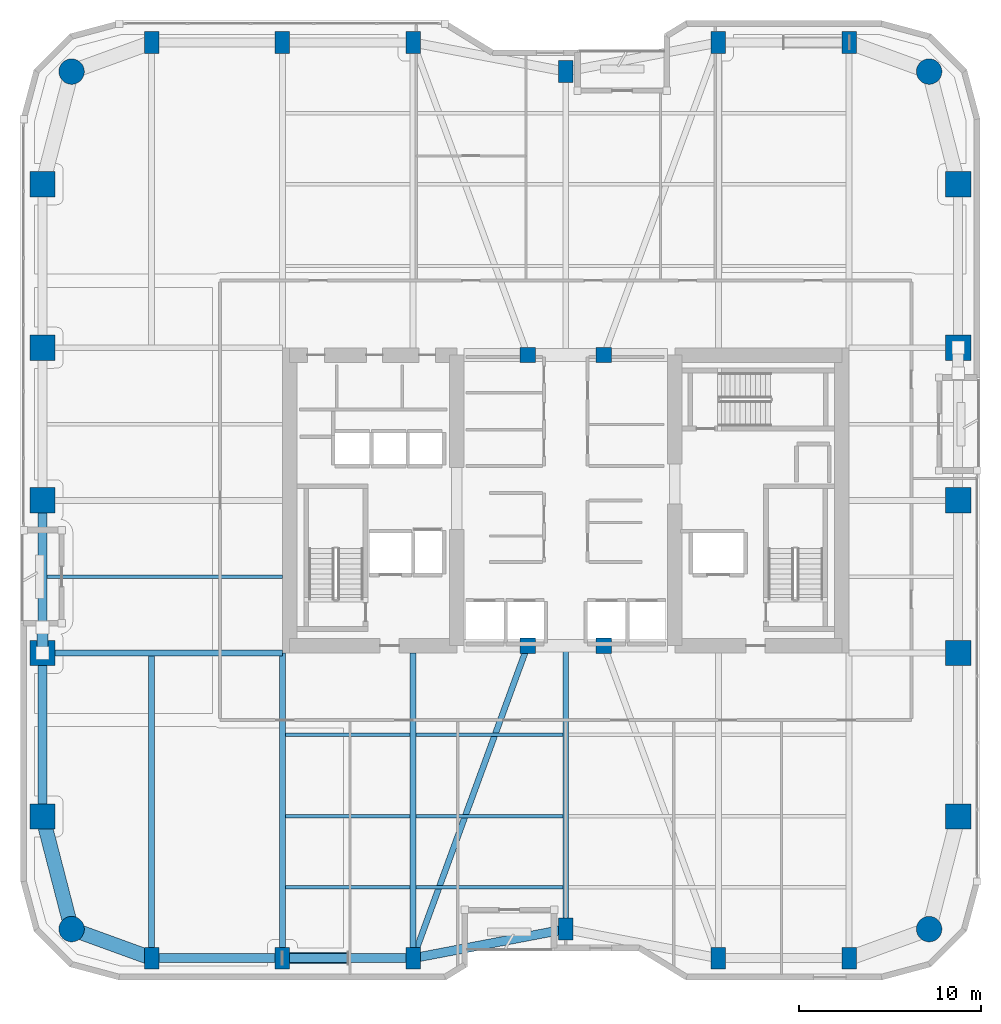
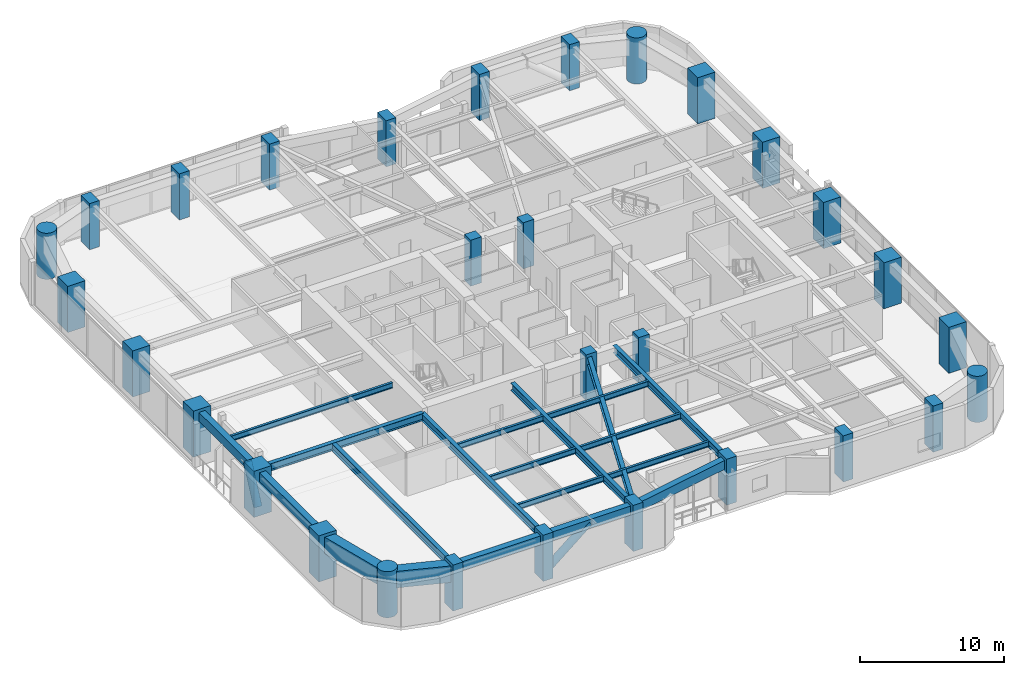
# One storey, part 1 of 24: 30 columns, 20 beams, 2 members.
"""IFC4 building model written with IfcOpenShell, lengths in metres."""

from ifc_helpers import new_model, si_unit, direction, frame, origin, origin_2d, place, context, subcontext, project, spatial, rectangle, circle, hollow_circle, i_section, extrude, material, material_profile, profile_set, type_object, element, save


model = new_model("IFC4")

# Units and contexts
model_context = context("Model", 3, precision=1e-05, world=origin(), true_north=direction((0.0, 1.0)))
body_context = subcontext(model_context, "Body", "Model", "MODEL_VIEW")
ifc_project = project(units=[si_unit("LENGTHUNIT", "METRE"), si_unit("AREAUNIT", "SQUARE_METRE"), si_unit("VOLUMEUNIT", "CUBIC_METRE"), si_unit("PLANEANGLEUNIT", "RADIAN"), si_unit("MASSUNIT", "GRAM", prefix="KILO")], contexts=[model_context])

# Site, building, storey
site_placement = place(None, origin())
site = spatial("IfcSite", under=ifc_project, at=site_placement, CompositionType="ELEMENT")
building_placement = place(site_placement, origin())
building = spatial("IfcBuilding", under=site, at=building_placement, Name="Kiyonajd Concourse Tower", CompositionType="ELEMENT")
storey_placement = place(building_placement, frame((0.0, 0.0, 105.300048828125)))
storey = spatial("IfcBuildingStorey", under=building, at=storey_placement, Name="L27", CompositionType="ELEMENT", Elevation=105.300048828125)

# Columns
ifc_material_1 = material(Name="Concrete C70/85", Category="concrete")
ifc_material_profile_1 = material_profile(ifc_material_1, rectangle(XDim=0.800048828125, YDim=1.199951171875, at=origin_2d()), Name="RC-1200x800")
ifc_profile_set_1 = profile_set([ifc_material_profile_1], Name="Concrete C70/85")
column_type_1 = type_object("IfcColumnType", Name="CL-BLADE-1200", PredefinedType="COLUMN", material=ifc_profile_set_1)
for number, where, z_axis, x_axis, name in (
    (1, (25.199951171875, 10.800048828125, 0.0), (0.0, 0.0, 1.0), (1.0, 0.0, 0.0), "L27 Perimeter Bundled Tube Column"),
    (2, (25.199951171875, 61.199951171875, 0.0), (0.0, 0.0, 1.0), (1.0, 0.0, 0.0), "L27 Perimeter Bundled Tube Column"),
    (3, (32.39990234375, 10.800048828125, 0.0), (0.0, 0.0, 1.0), (1.0, 0.0, 0.0), "L27 Perimeter Bundled Tube Column"),
    (4, (32.39990234375, 61.199951171875, 0.0), (0.0, 0.0, 1.0), (1.0, 0.0, 0.0), "L27 Perimeter Bundled Tube Column"),
    (5, (39.60009765625, 10.800048828125, 0.0), (0.0, 0.0, 1.0), (1.0, 0.0, 0.0), "L27 Perimeter Bundled Tube Column"),
    (6, (39.60009765625, 61.199951171875, 0.0), (0.0, 0.0, 1.0), (1.0, 0.0, 0.0), "L27 Perimeter Bundled Tube Column"),
    (7, (48.0, 12.39990234375, 0.0), (0.0, 0.0, 1.0), (1.0, 0.0, 0.0), "L27 Perimeter Bundled Tube Column"),
    (8, (48.0, 59.60009765625, 0.0), (0.0, 0.0, 1.0), (1.0, 0.0, 0.0), "L27 Perimeter Bundled Tube Column"),
    (9, (56.39990234375, 10.800048828125, 0.0), (0.0, 0.0, 1.0), (1.0, 0.0, 0.0), "L27 Perimeter Bundled Tube Column"),
    (10, (56.39990234375, 61.199951171875, 0.0), (0.0, 0.0, 1.0), (1.0, 0.0, 0.0), "L27 Perimeter Bundled Tube Column"),
    (11, (63.60009765625, 10.800048828125, 0.0), (0.0, 0.0, 1.0), (1.0, 0.0, 0.0), "L27 Perimeter Bundled Tube Column"),
    (12, (63.60009765625, 61.199951171875, 0.0), (0.0, 0.0, 1.0), (1.0, 0.0, 0.0), "L27 Perimeter Bundled Tube Column"),
):
    element("IfcColumn", number, at=place(storey_placement, frame(where, z_axis=z_axis, x_axis=x_axis)), inside=storey, type_object=column_type_1, Name=name, PredefinedType="COLUMN", context=body_context, shape_type="SweptSolid", body=[
        extrude(rectangle(XDim=0.800048828125, YDim=1.199951171875, at=origin_2d()), origin(), (0.0, 0.0, 1.0), 3.89990234375),
    ])
ifc_material_2 = material(Name="Concrete C80/95", Category="concrete")
ifc_material_profile_2 = material_profile(ifc_material_2, circle(Radius=0.699951171875, at=origin_2d()), Name="RCC-D1400")
ifc_profile_set_2 = profile_set([ifc_material_profile_2], Name="Concrete C80/95")
column_type_2 = type_object("IfcColumnType", Name="CL-RND-1400", PredefinedType="COLUMN", material=ifc_profile_set_2)
for number, where, z_axis, x_axis, name in (
    (13, (20.800048828125, 12.39990234375, 0.0), (0.0, 0.0, 1.0), (1.0, 0.0, 0.0), "L27 Bundled Tube Corner Column South West"),
    (14, (68.0, 12.39990234375, 0.0), (0.0, 0.0, 1.0), (1.0, 0.0, 0.0), "L27 Bundled Tube Corner Column South East"),
    (15, (68.0, 59.60009765625, 0.0), (0.0, 0.0, 1.0), (1.0, 0.0, 0.0), "L27 Bundled Tube Corner Column North East"),
    (16, (20.800048828125, 59.60009765625, 0.0), (0.0, 0.0, 1.0), (1.0, 0.0, 0.0), "L27 Bundled Tube Corner Column North West"),
):
    element("IfcColumn", number, at=place(storey_placement, frame(where, z_axis=z_axis, x_axis=x_axis)), inside=storey, type_object=column_type_2, Name=name, PredefinedType="COLUMN", context=body_context, shape_type="SweptSolid", body=[
        extrude(circle(Radius=0.699951171875, at=origin_2d()), origin(), (0.0, 0.0, 1.0), 3.89990234375),
    ])
ifc_material_profile_3 = material_profile(ifc_material_1, rectangle(XDim=1.39990234375, YDim=1.39990234375, at=origin_2d()), Name="RC-1400x1400")
ifc_profile_set_3 = profile_set([ifc_material_profile_3], Name="Concrete C70/85")
column_type_3 = type_object("IfcColumnType", Name="CL-TUBE-1400", PredefinedType="COLUMN", material=ifc_profile_set_3)
for number, where, z_axis, x_axis, name in (
    (17, (19.199951171875, 18.60009765625, 0.0), (0.0, 0.0, 1.0), (1.0, 0.0, 0.0), "L27 Perimeter Bundled Tube Column"),
    (18, (69.60009765625, 18.60009765625, 0.0), (0.0, 0.0, 1.0), (1.0, 0.0, 0.0), "L27 Perimeter Bundled Tube Column"),
    (19, (19.199951171875, 27.60009765625, 0.0), (0.0, 0.0, 1.0), (1.0, 0.0, 0.0), "L27 Perimeter Bundled Tube Column"),
    (20, (69.60009765625, 27.60009765625, 0.0), (0.0, 0.0, 1.0), (1.0, 0.0, 0.0), "L27 Perimeter Bundled Tube Column"),
    (21, (19.199951171875, 36.0, 0.0), (0.0, 0.0, 1.0), (1.0, 0.0, 0.0), "L27 Perimeter Bundled Tube Column"),
    (22, (69.60009765625, 36.0, 0.0), (0.0, 0.0, 1.0), (1.0, 0.0, 0.0), "L27 Perimeter Bundled Tube Column"),
    (23, (19.199951171875, 44.39990234375, 0.0), (0.0, 0.0, 1.0), (1.0, 0.0, 0.0), "L27 Perimeter Bundled Tube Column"),
    (24, (69.60009765625, 44.39990234375, 0.0), (0.0, 0.0, 1.0), (1.0, 0.0, 0.0), "L27 Perimeter Bundled Tube Column"),
    (25, (19.199951171875, 53.39990234375, 0.0), (0.0, 0.0, 1.0), (1.0, 0.0, 0.0), "L27 Perimeter Bundled Tube Column"),
    (26, (69.60009765625, 53.39990234375, 0.0), (0.0, 0.0, 1.0), (1.0, 0.0, 0.0), "L27 Perimeter Bundled Tube Column"),
):
    element("IfcColumn", number, at=place(storey_placement, frame(where, z_axis=z_axis, x_axis=x_axis)), inside=storey, type_object=column_type_3, Name=name, PredefinedType="COLUMN", context=body_context, shape_type="SweptSolid", body=[
        extrude(rectangle(XDim=1.39990234375, YDim=1.39990234375, at=origin_2d()), origin(), (0.0, 0.0, 1.0), 3.89990234375),
    ])
ifc_material_3 = material(Name="Concrete C60/75", Category="concrete")
ifc_material_profile_4 = material_profile(ifc_material_3, rectangle(XDim=0.85009765625, YDim=0.85009765625, at=origin_2d()), Name="RC-850x850")
ifc_profile_set_4 = profile_set([ifc_material_profile_4], Name="Concrete C60/75")
column_type_4 = type_object("IfcColumnType", Name="CL-TUBE-850", PredefinedType="COLUMN", material=ifc_profile_set_4)
for number, where, z_axis, x_axis, name in (
    (27, (45.89990234375, 28.0, 0.0), (0.0, 0.0, 1.0), (1.0, 0.0, 0.0), "L27 Core Tie Column South West"),
    (28, (50.10009765625, 28.0, 0.0), (0.0, 0.0, 1.0), (1.0, 0.0, 0.0), "L27 Core Tie Column South East"),
    (29, (45.89990234375, 44.0, 0.0), (0.0, 0.0, 1.0), (1.0, 0.0, 0.0), "L27 Core Tie Column North West"),
    (30, (50.10009765625, 44.0, 0.0), (0.0, 0.0, 1.0), (1.0, 0.0, 0.0), "L27 Core Tie Column North East"),
):
    element("IfcColumn", number, at=place(storey_placement, frame(where, z_axis=z_axis, x_axis=x_axis)), inside=storey, type_object=column_type_4, Name=name, PredefinedType="COLUMN", context=body_context, shape_type="SweptSolid", body=[
        extrude(rectangle(XDim=0.85009765625, YDim=0.85009765625, at=origin_2d()), origin(), (0.0, 0.0, 1.0), 3.89990234375),
    ])

# Beams
ifc_material_4 = material(Name="Steel ASTM A992 Grade 50", Category="steel")
ifc_material_profile_5 = material_profile(ifc_material_4, i_section(OverallWidth=0.19189453125, OverallDepth=0.462890625, WebThickness=0.010498046875, FlangeThickness=0.017578125, at=origin_2d()), Name="W460X89")
ifc_profile_set_5 = profile_set([ifc_material_profile_5], Name="Steel ASTM A992 Grade 50")
beam_type_1 = type_object("IfcBeamType", Name="BM-JST-460B", PredefinedType="JOIST", material=ifc_profile_set_5)
beam_1_placement = place(storey_placement, frame((32.5634765625, 14.699951171875, 3.408447265625), z_axis=(1.0, 0.0, 0.0), x_axis=(0.0, 1.0, 0.0)))
element("IfcBeam", 31, at=beam_1_placement, inside=storey, type_object=beam_type_1, Name="L27 Secondary Floor Joist", PredefinedType="JOIST", context=body_context, shape_type="SweptSolid", body=[
    extrude(i_section(OverallWidth=0.19189453125, OverallDepth=0.462890625, WebThickness=0.010498046875, FlangeThickness=0.017578125, at=origin_2d()), origin(), (0.0, 0.0, 1.0), 6.873046875),
])
beam_2_placement = place(storey_placement, frame((39.763427734375, 14.699951171875, 3.408447265625), z_axis=(1.0, 0.0, 0.0), x_axis=(0.0, 1.0, 0.0)))
element("IfcBeam", 32, at=beam_2_placement, inside=storey, type_object=beam_type_1, Name="L27 Secondary Floor Joist", PredefinedType="JOIST", context=body_context, shape_type="SweptSolid", body=[
    extrude(i_section(OverallWidth=0.19189453125, OverallDepth=0.462890625, WebThickness=0.010498046875, FlangeThickness=0.017578125, at=origin_2d()), origin(), (0.0, 0.0, 1.0), 8.072998046875),
])
beam_3_placement = place(storey_placement, frame((32.5634765625, 18.60009765625, 3.408447265625), z_axis=(1.0, 0.0, 0.0), x_axis=(0.0, 1.0, 0.0)))
element("IfcBeam", 33, at=beam_3_placement, inside=storey, type_object=beam_type_1, Name="L27 Secondary Floor Joist", PredefinedType="JOIST", context=body_context, shape_type="SweptSolid", body=[
    extrude(i_section(OverallWidth=0.19189453125, OverallDepth=0.462890625, WebThickness=0.010498046875, FlangeThickness=0.017578125, at=origin_2d()), origin(), (0.0, 0.0, 1.0), 6.873046875),
])
beam_4_placement = place(storey_placement, frame((39.763427734375, 18.60009765625, 3.408447265625), z_axis=(1.0, 0.0, 0.0), x_axis=(0.0, 1.0, 0.0)))
element("IfcBeam", 34, at=beam_4_placement, inside=storey, type_object=beam_type_1, Name="L27 Secondary Floor Joist", PredefinedType="JOIST", context=body_context, shape_type="SweptSolid", body=[
    extrude(i_section(OverallWidth=0.19189453125, OverallDepth=0.462890625, WebThickness=0.010498046875, FlangeThickness=0.017578125, at=origin_2d()), origin(), (0.0, 0.0, 1.0), 8.072998046875),
])
beam_5_placement = place(storey_placement, frame((32.5634765625, 23.10009765625, 3.408447265625), z_axis=(1.0, 0.0, 0.0), x_axis=(0.0, 1.0, 0.0)))
element("IfcBeam", 35, at=beam_5_placement, inside=storey, type_object=beam_type_1, Name="L27 Secondary Floor Joist", PredefinedType="JOIST", context=body_context, shape_type="SweptSolid", body=[
    extrude(i_section(OverallWidth=0.19189453125, OverallDepth=0.462890625, WebThickness=0.010498046875, FlangeThickness=0.017578125, at=origin_2d()), origin(), (0.0, 0.0, 1.0), 6.873046875),
])
beam_6_placement = place(storey_placement, frame((39.763427734375, 23.10009765625, 3.408447265625), z_axis=(1.0, 0.0, 0.0), x_axis=(0.0, 1.0, 0.0)))
element("IfcBeam", 36, at=beam_6_placement, inside=storey, type_object=beam_type_1, Name="L27 Secondary Floor Joist", PredefinedType="JOIST", context=body_context, shape_type="SweptSolid", body=[
    extrude(i_section(OverallWidth=0.19189453125, OverallDepth=0.462890625, WebThickness=0.010498046875, FlangeThickness=0.017578125, at=origin_2d()), origin(), (0.0, 0.0, 1.0), 8.072998046875),
])
beam_7_placement = place(storey_placement, frame((19.449951171875, 31.800048828125, 3.408447265625), z_axis=(1.0, 0.0, 0.0), x_axis=(0.0, 1.0, 0.0)))
element("IfcBeam", 37, at=beam_7_placement, inside=storey, type_object=beam_type_1, Name="L27 West Secondary Floor Joist", PredefinedType="JOIST", context=body_context, shape_type="SweptSolid", body=[
    extrude(i_section(OverallWidth=0.19189453125, OverallDepth=0.462890625, WebThickness=0.010498046875, FlangeThickness=0.017578125, at=origin_2d()), origin(), (0.0, 0.0, 1.0), 12.949951171875),
])
ifc_material_5 = material(Name="Precast concrete C50/60", Category="concrete")
ifc_material_profile_6 = material_profile(ifc_material_5, rectangle(XDim=0.5, YDim=0.75, at=origin_2d()), Name="RCBM-500x750")
ifc_profile_set_6 = profile_set([ifc_material_profile_6], Name="Precast concrete C50/60")
beam_type_2 = type_object("IfcBeamType", Name="BM-SPAN-RC", PredefinedType="SPANDREL", material=ifc_profile_set_6)
beam_8_placement = place(storey_placement, frame((19.199951171875, 27.60009765625, 3.264892578125), z_axis=(0.0, -1.0, 0.0), x_axis=(1.0, 0.0, 0.0)))
element("IfcBeam", 38, at=beam_8_placement, inside=storey, type_object=beam_type_2, Name="L27 Perimeter Bundled Tube Spandrel", PredefinedType="SPANDREL", context=body_context, shape_type="SweptSolid", body=[
    extrude(rectangle(XDim=0.5, YDim=0.75, at=origin_2d()), origin(), (0.0, 0.0, 1.0), 9.0),
])
beam_9_placement = place(storey_placement, frame((25.199951171875, 10.800048828125, 3.264892578125), z_axis=(1.0, 0.0, 0.0), x_axis=(0.0, 1.0, 0.0)))
element("IfcBeam", 39, at=beam_9_placement, inside=storey, type_object=beam_type_2, Name="L27 Perimeter Bundled Tube Spandrel", PredefinedType="SPANDREL", context=body_context, shape_type="SweptSolid", body=[
    extrude(rectangle(XDim=0.5, YDim=0.75, at=origin_2d()), origin(), (0.0, 0.0, 1.0), 7.199951171875),
])
beam_10_placement = place(storey_placement, frame((32.39990234375, 10.800048828125, 3.264892578125), z_axis=(1.0, 0.0, 0.0), x_axis=(0.0, 1.0, 0.0)))
element("IfcBeam", 40, at=beam_10_placement, inside=storey, type_object=beam_type_2, Name="L27 Perimeter Bundled Tube Spandrel", PredefinedType="SPANDREL", context=body_context, shape_type="SweptSolid", body=[
    extrude(rectangle(XDim=0.5, YDim=0.75, at=origin_2d()), origin(), (0.0, 0.0, 1.0), 7.2001953125),
])
beam_11_placement = place(storey_placement, frame((39.60009765625, 10.800048828125, 3.264892578125), z_axis=(0.982341315253, 0.187097675953, 0.0), x_axis=(-0.187097675953, 0.982341315253, 0.0)))
element("IfcBeam", 41, at=beam_11_placement, inside=storey, type_object=beam_type_2, Name="L27 Perimeter Bundled Tube Spandrel", PredefinedType="SPANDREL", context=body_context, shape_type="SweptSolid", body=[
    extrude(rectangle(XDim=0.5, YDim=0.75, at=origin_2d()), origin(), (0.0, 0.0, 1.0), 8.55078125),
])
beam_12_placement = place(storey_placement, frame((19.199951171875, 36.0, 3.264892578125), z_axis=(0.0, -1.0, 0.0), x_axis=(1.0, 0.0, 0.0)))
element("IfcBeam", 42, at=beam_12_placement, inside=storey, type_object=beam_type_2, Name="L27 Perimeter Bundled Tube Spandrel", PredefinedType="SPANDREL", context=body_context, shape_type="SweptSolid", body=[
    extrude(rectangle(XDim=0.5, YDim=0.75, at=origin_2d()), origin(), (0.0, 0.0, 1.0), 8.39990234375),
])
ifc_material_profile_7 = material_profile(ifc_material_4, i_section(OverallWidth=0.326904296875, OverallDepth=0.6220703125, WebThickness=0.015380859375, FlangeThickness=0.0244140625, at=origin_2d()), Name="W610X195")
ifc_profile_set_7 = profile_set([ifc_material_profile_7], Name="Steel ASTM A992 Grade 50")
beam_type_3 = type_object("IfcBeamType", Name="BM-TWR-610A", PredefinedType="BEAM", material=ifc_profile_set_7)
beam_13_placement = place(storey_placement, frame((39.60009765625, 10.800048828125, 3.328857421875), z_axis=(0.343925269715, 0.938997022813, 0.0), x_axis=(-0.938997022813, 0.343925269715, 0.0)))
element("IfcBeam", 43, at=beam_13_placement, inside=storey, type_object=beam_type_3, Name="L27 Core Tie Girder", PredefinedType="BEAM", context=body_context, shape_type="SweptSolid", body=[
    extrude(i_section(OverallWidth=0.326904296875, OverallDepth=0.6220703125, WebThickness=0.015380859375, FlangeThickness=0.0244140625, at=origin_2d()), origin(), (0.0, 0.0, 1.0), 18.3173828125),
])
for number, where, z_axis, x_axis, name in (
    (44, (25.199951171875, 10.800048828125, 3.328857421875), (0.0, 1.0, 0.0), (-1.0, 0.0, 0.0), "L27 South Lease Girder"),
    (45, (32.39990234375, 10.800048828125, 3.328857421875), (0.0, 1.0, 0.0), (-1.0, 0.0, 0.0), "L27 South Lease Girder"),
    (46, (39.60009765625, 10.800048828125, 3.328857421875), (0.0, 1.0, 0.0), (-1.0, 0.0, 0.0), "L27 South Lease Girder"),
):
    element("IfcBeam", number, at=place(storey_placement, frame(where, z_axis=z_axis, x_axis=x_axis)), inside=storey, type_object=beam_type_3, Name=name, PredefinedType="BEAM", context=body_context, shape_type="SweptSolid", body=[
        extrude(i_section(OverallWidth=0.326904296875, OverallDepth=0.6220703125, WebThickness=0.015380859375, FlangeThickness=0.0244140625, at=origin_2d()), origin(), (0.0, 0.0, 1.0), 16.800048828125),
    ])
beam_14_placement = place(storey_placement, frame((48.0, 12.39990234375, 3.328857421875), z_axis=(0.0, 1.0, 0.0), x_axis=(-1.0, 0.0, 0.0)))
element("IfcBeam", 47, at=beam_14_placement, inside=storey, type_object=beam_type_3, Name="L27 South Ribbon Girder", PredefinedType="BEAM", context=body_context, shape_type="SweptSolid", body=[
    extrude(i_section(OverallWidth=0.326904296875, OverallDepth=0.6220703125, WebThickness=0.015380859375, FlangeThickness=0.0244140625, at=origin_2d()), origin(), (0.0, 0.0, 1.0), 15.60009765625),
])
beam_15_placement = place(storey_placement, frame((19.199951171875, 27.60009765625, 3.328857421875), z_axis=(1.0, 0.0, 0.0), x_axis=(0.0, 1.0, 0.0)))
element("IfcBeam", 48, at=beam_15_placement, inside=storey, type_object=beam_type_3, Name="L27 West Lease Girder", PredefinedType="BEAM", context=body_context, shape_type="SweptSolid", body=[
    extrude(i_section(OverallWidth=0.326904296875, OverallDepth=0.6220703125, WebThickness=0.015380859375, FlangeThickness=0.0244140625, at=origin_2d()), origin(), (0.0, 0.0, 1.0), 13.199951171875),
])
ifc_material_profile_8 = material_profile(ifc_material_3, rectangle(XDim=0.800048828125, YDim=1.39990234375, at=origin_2d()), Name="RCBM-800x1400")
ifc_profile_set_8 = profile_set([ifc_material_profile_8], Name="Concrete C60/75")
beam_type_4 = type_object("IfcBeamType", Name="BM-XFER-RC", PredefinedType="BEAM", material=ifc_profile_set_8)
beam_16_placement = place(storey_placement, frame((19.199951171875, 18.60009765625, 2.93994140625), z_axis=(0.249884937687, -0.968275538221, 0.0), x_axis=(0.968275538221, 0.249884937687, 0.0)))
element("IfcBeam", 49, at=beam_16_placement, inside=storey, type_object=beam_type_4, Name="L27 Perimeter Bundled Tube Spandrel", PredefinedType="BEAM", context=body_context, shape_type="SweptSolid", body=[
    extrude(rectangle(XDim=0.800048828125, YDim=1.39990234375, at=origin_2d()), origin(), (0.0, 0.0, 1.0), 6.4033203125),
])
beam_17_placement = place(storey_placement, frame((20.800048828125, 12.39990234375, 2.93994140625), z_axis=(0.939801036019, -0.341722127901, 0.0), x_axis=(0.341722127901, 0.939801036019, 0.0)))
element("IfcBeam", 50, at=beam_17_placement, inside=storey, type_object=beam_type_4, Name="L27 Perimeter Bundled Tube Spandrel", PredefinedType="BEAM", context=body_context, shape_type="SweptSolid", body=[
    extrude(rectangle(XDim=0.800048828125, YDim=1.39990234375, at=origin_2d()), origin(), (0.0, 0.0, 1.0), 4.681640625),
])

# Members
ifc_material_6 = material(Name="Steel ASTM A572 Grade 50", Category="steel")
ifc_material_profile_9 = material_profile(ifc_material_6, hollow_circle(Radius=0.304931640625, WallThickness=0.02490234375, at=origin_2d()), Name="CHS-610x25")
ifc_profile_set_9 = profile_set([ifc_material_profile_9], Name="Steel ASTM A572 Grade 50")
member_type = type_object("IfcMemberType", Name="MB-PB-LOW", PredefinedType="BRACE", material=ifc_profile_set_9)
member_1_placement = place(storey_placement, frame((32.39990234375, 10.800048828125, 0.300048828125), z_axis=(0.769280705518, 0.0, 0.638910945373), x_axis=(0.0, 1.0, 0.0)))
element("IfcMember", 51, at=member_1_placement, inside=storey, type_object=member_type, Name="L27 Lower Zone Welded Tube Brace PBS", PredefinedType="BRACE", context=body_context, shape_type="SweptSolid", body=[
    extrude(hollow_circle(Radius=0.304931640625, WallThickness=0.02490234375, at=origin_2d()), origin(), (0.0, 0.0, 1.0), 4.679931640625),
])
member_2_placement = place(storey_placement, frame((19.199951171875, 27.60009765625, 0.300048828125), z_axis=(0.0, 0.424022702926, 0.905651559598), x_axis=(-1.0, 0.0, 0.0)))
element("IfcMember", 52, at=member_2_placement, inside=storey, type_object=member_type, Name="L27 Lower Zone Welded Tube Brace PBW", PredefinedType="BRACE", context=body_context, shape_type="SweptSolid", body=[
    extrude(hollow_circle(Radius=0.304931640625, WallThickness=0.02490234375, at=origin_2d()), origin(), (0.0, 0.0, 1.0), 3.301513671875),
])

save(model, "model.ifc")
